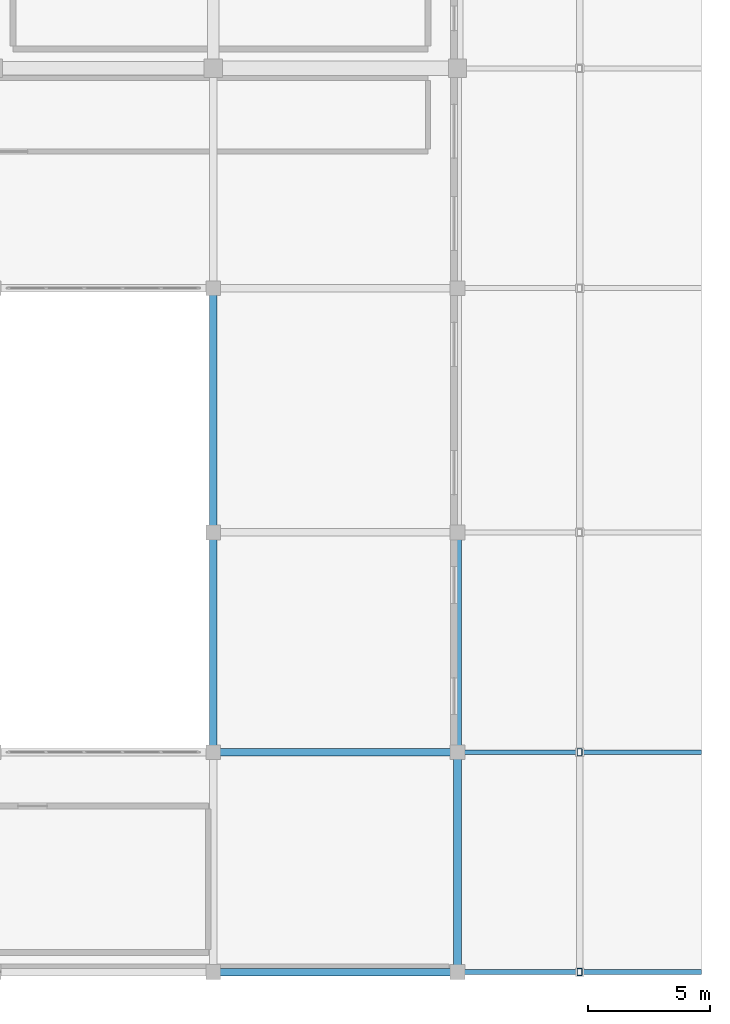
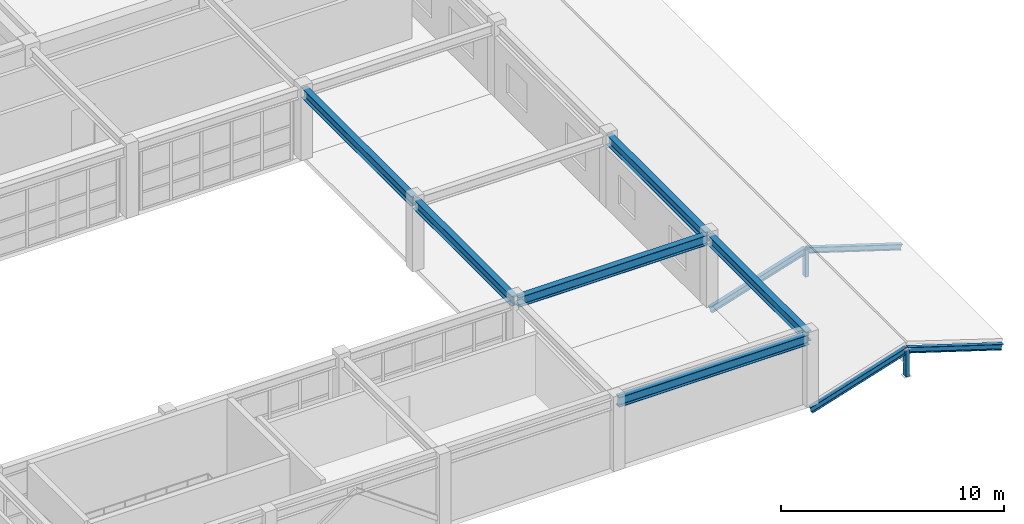
# One storey, part 77 of 130: 6 beams, 6 members.
"""IFC4 building model written with IfcOpenShell, lengths in metres."""

from ifc_helpers import new_model, si_unit, direction, frame, origin, origin_2d, place, context, subcontext, project, spatial, hollow_rectangle, i_section, extrude, material, material_profile, profile_set, type_object, element, save


model = new_model("IFC4")

# Units and contexts
model_context = context("Model", 3, precision=1e-05, world=origin(), true_north=direction((0.0, 1.0)))
body_context = subcontext(model_context, "Body", "Model", "MODEL_VIEW")
ifc_project = project(units=[si_unit("LENGTHUNIT", "METRE"), si_unit("AREAUNIT", "SQUARE_METRE"), si_unit("VOLUMEUNIT", "CUBIC_METRE"), si_unit("PLANEANGLEUNIT", "RADIAN"), si_unit("MASSUNIT", "GRAM", prefix="KILO")], contexts=[model_context])

# Site, building, storey
site_placement = place(None, origin())
site = spatial("IfcSite", under=ifc_project, at=site_placement, CompositionType="ELEMENT")
building_placement = place(site_placement, origin())
building = spatial("IfcBuilding", under=site, at=building_placement, Name="Miravela Opera House", CompositionType="ELEMENT")
storey_placement = place(building_placement, frame((0.0, 0.0, 9.52001953125)))
storey = spatial("IfcBuildingStorey", under=building, at=storey_placement, Name="L02", CompositionType="ELEMENT", Elevation=9.52001953125)

# Beams
ifc_material_1 = material(Name="Structural steel ASTM A992 Gr. 50", Category="steel")
ifc_material_profile_1 = material_profile(ifc_material_1, i_section(OverallWidth=0.31201171875, OverallDepth=0.54296875, WebThickness=0.0126953125, FlangeThickness=0.020263671875, FilletRadius=0.01611328125, at=origin_2d()), Name="W530X150")
ifc_profile_set_1 = profile_set([ifc_material_profile_1])
beam_type = type_object("IfcBeamType", Name="STR-BM-W530X150", PredefinedType="BEAM", material=ifc_profile_set_1)
for number, where, z_axis, x_axis, name in (
    (1, (144.080078125, 0.0, 3.568359375), (1.0, 0.0, 0.0), (0.0, 1.0, 0.0), "Roof Eave Girder ROOF-V4-SE S7"),
    (2, (144.080078125, 9.0, 3.568359375), (1.0, 0.0, 0.0), (0.0, 1.0, 0.0), "Roof Eave Girder ROOF-V4-SE N7"),
):
    element("IfcBeam", number, at=place(storey_placement, frame(where, z_axis=z_axis, x_axis=x_axis)), inside=storey, type_object=beam_type, Name=name, PredefinedType="BEAM", context=body_context, shape_type="SweptSolid", body=[
        extrude(i_section(OverallWidth=0.31201171875, OverallDepth=0.54296875, WebThickness=0.0126953125, FlangeThickness=0.020263671875, FilletRadius=0.01611328125, at=origin_2d()), origin(), (0.0, 0.0, 1.0), 9.83984375),
    ])
for number, where, z_axis, x_axis, name in (
    (3, (154.0, 0.080078125, 3.568359375), (0.0, 1.0, 0.0), (-1.0, 0.0, 0.0), "Roof King-Post Transverse Tie Girder ROOF-V4-SE T7.1"),
    (4, (144.0, 9.080078125, 3.568359375), (0.0, 1.0, 0.0), (-1.0, 0.0, 0.0), "Roof Eave Girder ROOF-V4-EAST-M W1"),
):
    element("IfcBeam", number, at=place(storey_placement, frame(where, z_axis=z_axis, x_axis=x_axis)), inside=storey, type_object=beam_type, Name=name, PredefinedType="BEAM", context=body_context, shape_type="SweptSolid", body=[
        extrude(i_section(OverallWidth=0.31201171875, OverallDepth=0.54296875, WebThickness=0.0126953125, FlangeThickness=0.020263671875, FilletRadius=0.01611328125, at=origin_2d()), origin(), (0.0, 0.0, 1.0), 8.83984375),
    ])
beam_1_placement = place(storey_placement, frame((144.0, 18.080078125, 3.568359375), z_axis=(0.0, 1.0, 0.0), x_axis=(-1.0, 0.0, 0.0)))
element("IfcBeam", 5, at=beam_1_placement, inside=storey, type_object=beam_type, Name="Roof Eave Girder ROOF-V4-EAST-M W2", PredefinedType="BEAM", context=body_context, shape_type="SweptSolid", body=[
    extrude(i_section(OverallWidth=0.31201171875, OverallDepth=0.54296875, WebThickness=0.0126953125, FlangeThickness=0.020263671875, FilletRadius=0.01611328125, at=origin_2d()), origin(), (0.0, 0.0, 1.0), 9.83984375),
])
beam_2_placement = place(storey_placement, frame((154.0, 9.080078125, 3.568359375), z_axis=(0.0, 1.0, 0.0), x_axis=(-1.0, 0.0, 0.0)))
element("IfcBeam", 6, at=beam_2_placement, inside=storey, type_object=beam_type, Name="Roof Eave Girder ROOF-V4-EAST-M E1", PredefinedType="BEAM", context=body_context, shape_type="SweptSolid", body=[
    extrude(i_section(OverallWidth=0.31201171875, OverallDepth=0.54296875, WebThickness=0.0126953125, FlangeThickness=0.020263671875, FilletRadius=0.01611328125, at=origin_2d()), origin(), (0.0, 0.0, 1.0), 8.83984375),
])

# Members
ifc_material_2 = material(Name="Hollow structural steel ASTM A500 Gr. C", Category="steel")
ifc_material_profile_2 = material_profile(ifc_material_2, hollow_rectangle(XDim=0.199951171875, YDim=0.300048828125, WallThickness=0.011962890625, InnerFilletRadius=0.011962890625, OuterFilletRadius=0.02392578125, at=origin_2d()), Name="HSS300X200X12")
ifc_profile_set_2 = profile_set([ifc_material_profile_2])
member_type_1 = type_object("IfcMemberType", Name="STR-MEM-POST-HSS300X200", PredefinedType="POST", material=ifc_profile_set_2)
for number, where, z_axis, x_axis, name in (
    (7, (159.0, 0.0, -0.25), (0.0, 0.0, 1.0), (1.0, 0.0, 0.0), "Roof Gable King Post ROOF-V4-FAR-E S"),
    (8, (159.0, 9.0, -0.25), (0.0, 0.0, 1.0), (1.0, 0.0, 0.0), "Roof Ridge Support Post ROOF-V4-FAR-E M1"),
):
    element("IfcMember", number, at=place(storey_placement, frame(where, z_axis=z_axis, x_axis=x_axis)), inside=storey, type_object=member_type_1, Name=name, PredefinedType="POST", context=body_context, shape_type="SweptSolid", body=[
        extrude(hollow_rectangle(XDim=0.199951171875, YDim=0.300048828125, WallThickness=0.011962890625, InnerFilletRadius=0.011962890625, OuterFilletRadius=0.02392578125, at=origin_2d()), origin(), (0.0, 0.0, 1.0), 1.469970703125),
    ])
ifc_material_profile_3 = material_profile(ifc_material_1, i_section(OverallWidth=0.2041015625, OverallDepth=0.35009765625, WebThickness=0.008544921875, FlangeThickness=0.01513671875, FilletRadius=0.013916015625, at=origin_2d()), Name="W360X72")
ifc_profile_set_3 = profile_set([ifc_material_profile_3])
member_type_2 = type_object("IfcMemberType", Name="STR-MEM-RAFTER-1", PredefinedType="RAFTER", material=ifc_profile_set_3)
for number, where, z_axis, x_axis, name in (
    (9, (154.050048828125, 0.0, -0.39990234375), (0.953766624153, 0.0, 0.300548210195), (0.0, 1.0, 0.0), "Pitched Roof Rafter ROOF-V4-FAR-E W0"),
    (10, (154.050048828125, 9.0, -0.39990234375), (0.953766624153, 0.0, 0.300548210195), (0.0, 1.0, 0.0), "Pitched Roof Rafter ROOF-V4-FAR-E W1"),
):
    element("IfcMember", number, at=place(storey_placement, frame(where, z_axis=z_axis, x_axis=x_axis)), inside=storey, type_object=member_type_2, Name=name, PredefinedType="RAFTER", context=body_context, shape_type="SweptSolid", body=[
        extrude(i_section(OverallWidth=0.2041015625, OverallDepth=0.35009765625, WebThickness=0.008544921875, FlangeThickness=0.01513671875, FilletRadius=0.013916015625, at=origin_2d()), origin(), (0.0, 0.0, 1.0), 5.18994140625),
    ])
ifc_material_profile_4 = material_profile(ifc_material_1, i_section(OverallWidth=0.202880859375, OverallDepth=0.302978515625, WebThickness=0.007568359375, FlangeThickness=0.01318359375, FilletRadius=0.012939453125, at=origin_2d()), Name="W310X60")
ifc_profile_set_4 = profile_set([ifc_material_profile_4])
member_type_3 = type_object("IfcMemberType", Name="STR-MEM-RAFTER-2", PredefinedType="RAFTER", material=ifc_profile_set_4)
for number, where, z_axis, x_axis, name in (
    (11, (163.949951171875, 0.0, -0.39990234375), (-0.953766624153, 0.0, 0.300548210195), (0.0, -1.0, 0.0), "Pitched Roof Rafter ROOF-V4-FAR-E E0"),
    (12, (163.949951171875, 9.0, -0.39990234375), (-0.953766624153, 0.0, 0.300548210195), (0.0, -1.0, 0.0), "Pitched Roof Rafter ROOF-V4-FAR-E E1"),
):
    element("IfcMember", number, at=place(storey_placement, frame(where, z_axis=z_axis, x_axis=x_axis)), inside=storey, type_object=member_type_3, Name=name, PredefinedType="RAFTER", context=body_context, shape_type="SweptSolid", body=[
        extrude(i_section(OverallWidth=0.202880859375, OverallDepth=0.302978515625, WebThickness=0.007568359375, FlangeThickness=0.01318359375, FilletRadius=0.012939453125, at=origin_2d()), origin(), (0.0, 0.0, 1.0), 5.18994140625),
    ])

save(model, "model.ifc")
